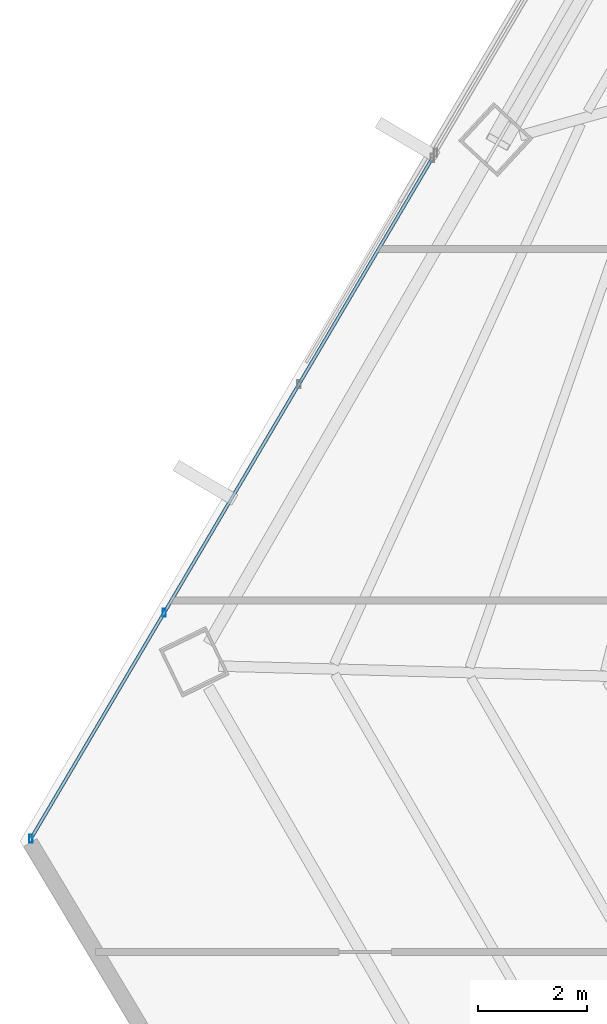
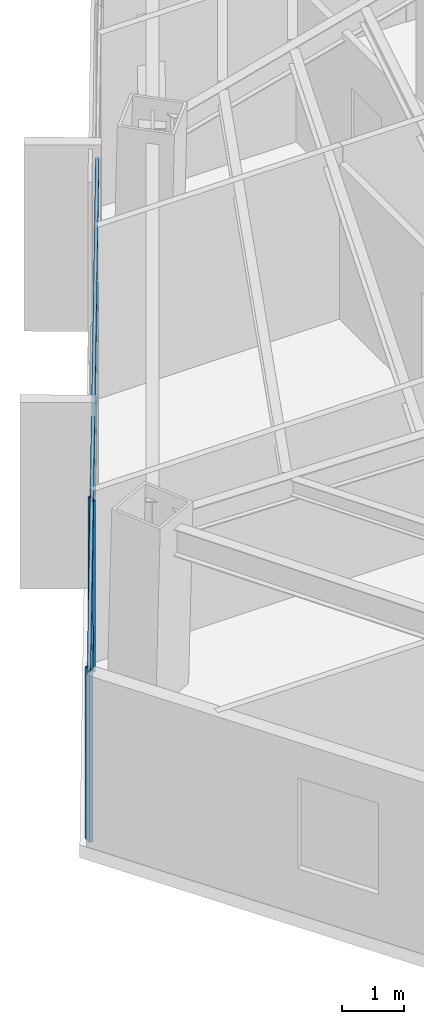
# One storey, part 6 of 41: 4 members, 1 element without a shape of its own.
"""IFC4 building model written with IfcOpenShell, lengths in metres."""

from ifc_helpers import new_model, si_unit, direction, frame, origin, origin_2d, place, context, subcontext, project, spatial, hollow_rectangle, extrude, source, transform, mapped, material, material_profile, profile_set, type_object, type_shapes, element, aggregate, save


model = new_model("IFC4")

# Units and contexts
model_context = context("Model", 3, precision=1e-05, world=origin(), true_north=direction((0.0, 1.0)))
body_context = subcontext(model_context, "Body", "Model", "MODEL_VIEW")
ifc_project = project(units=[si_unit("LENGTHUNIT", "METRE"), si_unit("AREAUNIT", "SQUARE_METRE"), si_unit("VOLUMEUNIT", "CUBIC_METRE"), si_unit("PLANEANGLEUNIT", "RADIAN"), si_unit("MASSUNIT", "GRAM", prefix="KILO")], contexts=[model_context])

# Site, building, storey
site_placement = place(None, origin())
site = spatial("IfcSite", under=ifc_project, at=site_placement, CompositionType="ELEMENT")
building_placement = place(site_placement, origin())
building = spatial("IfcBuilding", under=site, at=building_placement, Name="Caelisora Broadcast Tower", CompositionType="ELEMENT")
storey_placement = place(building_placement, frame((0.0, 0.0, 169.449951171875)))
storey = spatial("IfcBuildingStorey", under=building, at=storey_placement, Name="L44", CompositionType="ELEMENT", Elevation=169.449951171875)

# Curtain wall, members
ifc_material_1 = material(Name="Unitised Aluminium and Low-E Glass Curtain Wall", Category="glass")
curtain_wall_type = type_object("IfcCurtainWallType", Name="CW-Z3", PredefinedType="NOTDEFINED", material=ifc_material_1)
curtain_wall_placement = place(storey_placement, origin())
curtain_wall = element("IfcCurtainWall", 1, at=curtain_wall_placement, inside=storey, type_object=curtain_wall_type, Name="L44 curtain wall CW-Z3", PredefinedType="NOTDEFINED")
ifc_material_2 = material(Name="Aluminium 6063-T6 Anodised Terracotta Bronze", Category="aluminium")
ifc_material_profile_1 = material_profile(ifc_material_2, hollow_rectangle(XDim=0.06005859375, YDim=0.14990234375, WallThickness=0.00341796875, at=origin_2d()), Name="Aluminium 6063-T6 Anodised Terracotta Bronze")
ifc_profile_set_1 = profile_set([ifc_material_profile_1], Name="Aluminium 6063-T6 Anodised Terracotta Bronze")
member_type_1 = type_object("IfcMemberType", Name="CWM-03", PredefinedType="MULLION", material=ifc_profile_set_1)
shared_shape_1 = source(origin(), body_context, "Body", "SweptSolid", [
    extrude(hollow_rectangle(XDim=0.06005859375, YDim=0.14990234375, WallThickness=0.00341796875, at=origin_2d()), origin(), (0.0, 0.0, 1.0), 3.400146484375),
])
type_shapes(member_type_1, [shared_shape_1])
member_1_placement = place(storey_placement, frame((12.555419921875, 14.6201171875, 0.0), z_axis=(0.0, 0.0, 1.0), x_axis=(1.0, 0.0, 0.0)))
member_1 = element("IfcMember", 2, at=member_1_placement, type_object=member_type_1, Name="L44-CW-B09 mullion #0", PredefinedType="MULLION", context=body_context, shape_type="MappedRepresentation", body=[
    mapped(shared_shape_1, transform((0.0, 0.0, 0.0), scale=1.0)),
])
member_2_placement = place(storey_placement, frame((14.99560546875, 18.75732421875, 0.0), z_axis=(0.0, 0.0, 1.0), x_axis=(1.0, 0.0, 0.0)))
member_2 = element("IfcMember", 3, at=member_2_placement, type_object=member_type_1, Name="L44-CW-B09 mullion #1", PredefinedType="MULLION", context=body_context, shape_type="MappedRepresentation", body=[
    mapped(shared_shape_1, transform((0.0, 0.0, 0.0), scale=1.0)),
])
ifc_material_profile_2 = material_profile(ifc_material_2, hollow_rectangle(XDim=0.06005859375, YDim=0.14990234375, WallThickness=0.00341796875, at=origin_2d()), Name="Aluminium 6063-T6 Anodised Terracotta Bronze")
ifc_profile_set_2 = profile_set([ifc_material_profile_2], Name="Aluminium 6063-T6 Anodised Terracotta Bronze")
member_type_2 = type_object("IfcMemberType", Name="CWT-02", PredefinedType="USERDEFINED", material=ifc_profile_set_2)
shared_shape_2 = source(origin(), body_context, "Body", "SweptSolid", [
    extrude(hollow_rectangle(XDim=0.06005859375, YDim=0.14990234375, WallThickness=0.00341796875, at=origin_2d()), origin(), (0.0, 0.0, 1.0), 14.459228515625),
])
type_shapes(member_type_2, [shared_shape_2])
member_3_placement = place(storey_placement, frame((12.555419921875, 14.6201171875, 0.85009765625), z_axis=(0.50800782637, 0.861352453034, 0.0), x_axis=(-0.861352453034, 0.50800782637, 0.0)))
member_3 = element("IfcMember", 4, at=member_3_placement, type_object=member_type_2, Name="L44-CW-B09 transom #1", ObjectType="TRANSOM", PredefinedType="USERDEFINED", context=body_context, shape_type="MappedRepresentation", body=[
    mapped(shared_shape_2, transform((0.0, 0.0, 0.0), scale=1.0)),
])
member_4_placement = place(storey_placement, frame((12.555419921875, 14.6201171875, 3.320068359375), z_axis=(0.50800782637, 0.861352453034, 0.0), x_axis=(-0.861352453034, 0.50800782637, 0.0)))
member_4 = element("IfcMember", 5, at=member_4_placement, type_object=member_type_2, Name="L44-CW-B09 transom #2", ObjectType="TRANSOM", PredefinedType="USERDEFINED", context=body_context, shape_type="MappedRepresentation", body=[
    mapped(shared_shape_2, transform((0.0, 0.0, 0.0), scale=1.0)),
])
aggregate(curtain_wall, [member_1, member_2, member_3, member_4])

save(model, "model.ifc")
